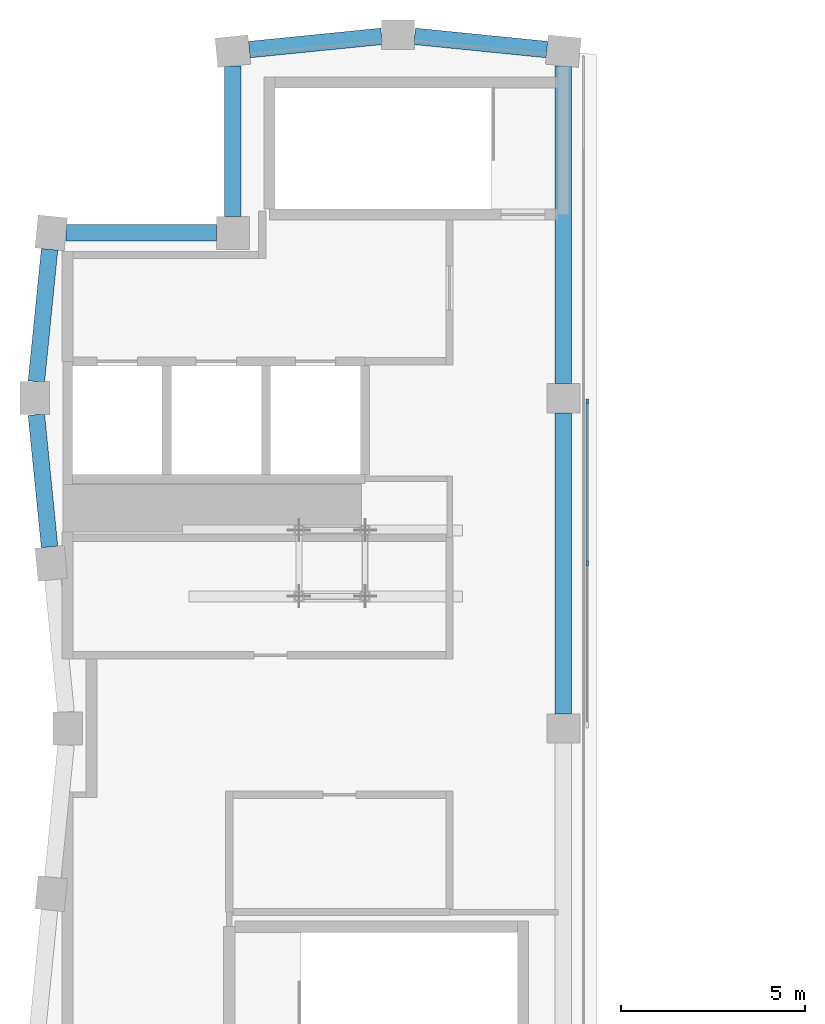
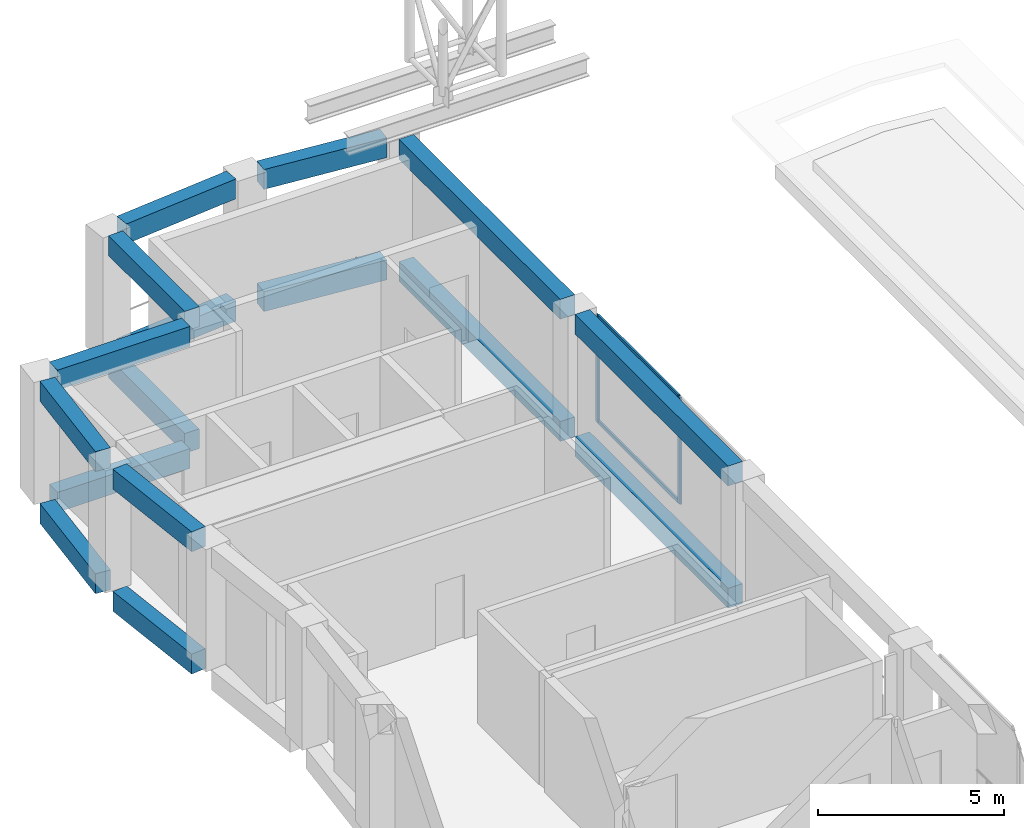
# One storey, part 4 of 7: 16 beams, 4 members, 1 element without a shape of its own.
"""IFC4 building model written with IfcOpenShell, lengths in metres."""

from ifc_helpers import new_model, si_unit, direction, frame, origin, origin_2d, place, context, subcontext, project, spatial, rectangle, extrude, material, material_profile, profile_set, type_object, element, aggregate, save


model = new_model("IFC4")

# Units and contexts
model_context = context("Model", 3, precision=1e-05, world=origin(), true_north=direction((0.0, 1.0)))
body_context = subcontext(model_context, "Body", "Model", "MODEL_VIEW")
ifc_project = project(units=[si_unit("LENGTHUNIT", "METRE"), si_unit("AREAUNIT", "SQUARE_METRE"), si_unit("VOLUMEUNIT", "CUBIC_METRE"), si_unit("PLANEANGLEUNIT", "RADIAN"), si_unit("MASSUNIT", "GRAM", prefix="KILO")], contexts=[model_context])

# Site, building, storey
site_placement = place(None, origin())
site = spatial("IfcSite", under=ifc_project, at=site_placement, CompositionType="ELEMENT")
building_placement = place(site_placement, origin())
building = spatial("IfcBuilding", under=site, at=building_placement, Name="Brondeck Convention Tower", CompositionType="ELEMENT")
storey_placement = place(building_placement, frame((0.0, 0.0, 306.800048828125)))
storey = spatial("IfcBuildingStorey", under=building, at=storey_placement, Name="L76", CompositionType="ELEMENT", Elevation=306.800048828125)

# Curtain wall, members
ifc_material_1 = material(Name="Aluminium, bronze anodised", Category="aluminium")
curtain_wall_type = type_object("IfcCurtainWallType", Name="Crown screen curtain wall", PredefinedType="NOTDEFINED", material=ifc_material_1)
curtain_wall_placement = place(storey_placement, origin())
curtain_wall = element("IfcCurtainWall", 1, at=curtain_wall_placement, inside=storey, type_object=curtain_wall_type, Name="ENV-CW4-L76-K1-SLOT-W-05", PredefinedType="NOTDEFINED")
ifc_material_profile_1 = material_profile(ifc_material_1, rectangle(XDim=0.06005859375, YDim=0.139892578125, at=origin_2d()), Name="CW4 mullion")
ifc_profile_set_1 = profile_set([ifc_material_profile_1], Name="Aluminium, bronze anodised")
member_type_1 = type_object("IfcMemberType", Name="CW4 mullion", PredefinedType="MULLION", material=ifc_profile_set_1)
member_1_placement = place(storey_placement, frame((14.14990234375, 53.909912109375, 0.0), z_axis=(0.0, 0.0, 1.0), x_axis=(1.0, 0.0, 0.0)))
member_1 = element("IfcMember", 2, at=member_1_placement, type_object=member_type_1, Name="CW4 mullion 1", PredefinedType="MULLION", context=body_context, shape_type="SweptSolid", body=[
    extrude(rectangle(XDim=0.06005859375, YDim=0.139892578125, at=origin_2d()), origin(), (0.0, 0.0, 1.0), 3.5),
])
member_2_placement = place(storey_placement, frame((14.14990234375, 49.5, 0.0), z_axis=(0.0, 0.0, 1.0), x_axis=(1.0, 0.0, 0.0)))
member_2 = element("IfcMember", 3, at=member_2_placement, type_object=member_type_1, Name="CW4 mullion 2", PredefinedType="MULLION", context=body_context, shape_type="SweptSolid", body=[
    extrude(rectangle(XDim=0.06005859375, YDim=0.139892578125, at=origin_2d()), origin(), (0.0, 0.0, 1.0), 3.5),
])
ifc_material_profile_2 = material_profile(ifc_material_1, rectangle(XDim=0.06005859375, YDim=0.1201171875, at=origin_2d()), Name="CW4 transom")
ifc_profile_set_2 = profile_set([ifc_material_profile_2], Name="Aluminium, bronze anodised")
member_type_2 = type_object("IfcMemberType", Name="CW4 transom", PredefinedType="USERDEFINED", material=ifc_profile_set_2)
member_3_placement = place(storey_placement, frame((14.14990234375, 53.8798828125, 0.030029296875), z_axis=(0.0, -1.0, 0.0), x_axis=(1.0, 0.0, 0.0)))
member_3 = element("IfcMember", 4, at=member_3_placement, type_object=member_type_2, Name="CW4 transom 1.1", ObjectType="TRANSOM", PredefinedType="USERDEFINED", context=body_context, shape_type="SweptSolid", body=[
    extrude(rectangle(XDim=0.06005859375, YDim=0.1201171875, at=origin_2d()), origin(), (0.0, 0.0, 1.0), 4.349853515625),
])
member_4_placement = place(storey_placement, frame((14.14990234375, 53.8798828125, 3.469970703125), z_axis=(0.0, -1.0, 0.0), x_axis=(1.0, 0.0, 0.0)))
member_4 = element("IfcMember", 5, at=member_4_placement, type_object=member_type_2, Name="CW4 transom 1.2", ObjectType="TRANSOM", PredefinedType="USERDEFINED", context=body_context, shape_type="SweptSolid", body=[
    extrude(rectangle(XDim=0.06005859375, YDim=0.1201171875, at=origin_2d()), origin(), (0.0, 0.0, 1.0), 4.349853515625),
])
aggregate(curtain_wall, [member_1, member_2, member_3, member_4])

# Beams
ifc_material_2 = material(Name="Concrete C50/60", Category="concrete")
ifc_material_profile_3 = material_profile(ifc_material_2, rectangle(XDim=0.449951171875, YDim=0.64990234375, at=origin_2d()), Name="Precast spandrel 450x650 Concrete C50/60")
ifc_profile_set_3 = profile_set([ifc_material_profile_3], Name="Concrete C50/60")
beam_type = type_object("IfcBeamType", Name="Precast spandrel 450x650 Concrete C50/60", PredefinedType="SPANDREL", material=ifc_profile_set_3)
beam_1_placement = place(storey_placement, frame((13.5, 45.39990234375, -0.324951171875), z_axis=(0.0, 1.0, 0.0), x_axis=(-1.0, 0.0, 0.0)))
element("IfcBeam", 6, at=beam_1_placement, inside=storey, type_object=beam_type, Name="STR-SP-L76K1-004", PredefinedType="SPANDREL", context=body_context, shape_type="SweptSolid", body=[
    extrude(rectangle(XDim=0.449951171875, YDim=0.64990234375, at=origin_2d()), origin(), (0.0, 0.0, 1.0), 8.2001953125),
])
beam_2_placement = place(storey_placement, frame((13.5, 54.39990234375, -0.324951171875), z_axis=(0.0, 1.0, 0.0), x_axis=(-1.0, 0.0, 0.0)))
element("IfcBeam", 7, at=beam_2_placement, inside=storey, type_object=beam_type, Name="STR-SP-L76K1-005", PredefinedType="SPANDREL", context=body_context, shape_type="SweptSolid", body=[
    extrude(rectangle(XDim=0.449951171875, YDim=0.64990234375, at=origin_2d()), origin(), (0.0, 0.0, 1.0), 8.648193359375),
])
for number, where, z_axis, x_axis, name in (
    (8, (13.05224609375, 63.494873046875, -0.324951171875), (-0.995040528141, 0.099470334057, 0.0), (-0.099470334057, -0.995040528141, 0.0), "STR-SP-L76K1-006"),
    (9, (8.550048828125, 63.85498046875, -0.324951171875), (-0.995040528141, -0.099470334057, 0.0), (0.099470334057, -0.995040528141, 0.0), "STR-SP-L76K1-007"),
):
    element("IfcBeam", number, at=place(storey_placement, frame(where, z_axis=z_axis, x_axis=x_axis)), inside=storey, type_object=beam_type, Name=name, PredefinedType="SPANDREL", context=body_context, shape_type="SweptSolid", body=[
        extrude(rectangle(XDim=0.449951171875, YDim=0.64990234375, at=origin_2d()), origin(), (0.0, 0.0, 1.0), 3.620361328125),
    ])
for number, where, z_axis, x_axis, name in (
    (10, (4.5, 63.048095703125, -0.324951171875), (0.0, -1.0, 0.0), (1.0, 0.0, 0.0), "STR-SP-L76K1-008"),
    (11, (4.050048828125, 58.5, -0.324951171875), (-1.0, 0.0, 0.0), (0.0, -1.0, 0.0), "STR-SP-L76K1-009"),
):
    element("IfcBeam", number, at=place(storey_placement, frame(where, z_axis=z_axis, x_axis=x_axis)), inside=storey, type_object=beam_type, Name=name, PredefinedType="SPANDREL", context=body_context, shape_type="SweptSolid", body=[
        extrude(rectangle(XDim=0.449951171875, YDim=0.64990234375, at=origin_2d()), origin(), (0.0, 0.0, 1.0), 4.09814453125),
    ])
for number, where, z_axis, x_axis, name in (
    (12, (-0.494873046875, 58.05224609375, -0.324951171875), (-0.099470334057, -0.995040528141, 0.0), (0.995040528141, -0.099470334057, 0.0), "STR-SP-L76K1-010"),
    (13, (-0.85498046875, 53.550048828125, -0.324951171875), (0.099470334057, -0.995040528141, 0.0), (0.995040528141, 0.099470334057, 0.0), "STR-SP-L76K1-011"),
):
    element("IfcBeam", number, at=place(storey_placement, frame(where, z_axis=z_axis, x_axis=x_axis)), inside=storey, type_object=beam_type, Name=name, PredefinedType="SPANDREL", context=body_context, shape_type="SweptSolid", body=[
        extrude(rectangle(XDim=0.449951171875, YDim=0.64990234375, at=origin_2d()), origin(), (0.0, 0.0, 1.0), 3.620361328125),
    ])
beam_3_placement = place(storey_placement, frame((13.5, 45.39990234375, 3.675048828125), z_axis=(0.0, 1.0, 0.0), x_axis=(-1.0, 0.0, 0.0)))
element("IfcBeam", 14, at=beam_3_placement, inside=storey, type_object=beam_type, Name="STR-SP-L76RP1-004", PredefinedType="SPANDREL", context=body_context, shape_type="SweptSolid", body=[
    extrude(rectangle(XDim=0.449951171875, YDim=0.64990234375, at=origin_2d()), origin(), (0.0, 0.0, 1.0), 8.2001953125),
])
beam_4_placement = place(storey_placement, frame((13.5, 54.39990234375, 3.675048828125), z_axis=(0.0, 1.0, 0.0), x_axis=(-1.0, 0.0, 0.0)))
element("IfcBeam", 15, at=beam_4_placement, inside=storey, type_object=beam_type, Name="STR-SP-L76RP1-005", PredefinedType="SPANDREL", context=body_context, shape_type="SweptSolid", body=[
    extrude(rectangle(XDim=0.449951171875, YDim=0.64990234375, at=origin_2d()), origin(), (0.0, 0.0, 1.0), 8.648193359375),
])
for number, where, z_axis, x_axis, name in (
    (16, (13.05224609375, 63.494873046875, 3.675048828125), (-0.995040528141, 0.099470334057, 0.0), (-0.099470334057, -0.995040528141, 0.0), "STR-SP-L76RP1-006"),
    (17, (8.550048828125, 63.85498046875, 3.675048828125), (-0.995040528141, -0.099470334057, 0.0), (0.099470334057, -0.995040528141, 0.0), "STR-SP-L76RP1-007"),
):
    element("IfcBeam", number, at=place(storey_placement, frame(where, z_axis=z_axis, x_axis=x_axis)), inside=storey, type_object=beam_type, Name=name, PredefinedType="SPANDREL", context=body_context, shape_type="SweptSolid", body=[
        extrude(rectangle(XDim=0.449951171875, YDim=0.64990234375, at=origin_2d()), origin(), (0.0, 0.0, 1.0), 3.620361328125),
    ])
for number, where, z_axis, x_axis, name in (
    (18, (4.5, 63.048095703125, 3.675048828125), (0.0, -1.0, 0.0), (1.0, 0.0, 0.0), "STR-SP-L76RP1-008"),
    (19, (4.050048828125, 58.5, 3.675048828125), (-1.0, 0.0, 0.0), (0.0, -1.0, 0.0), "STR-SP-L76RP1-009"),
):
    element("IfcBeam", number, at=place(storey_placement, frame(where, z_axis=z_axis, x_axis=x_axis)), inside=storey, type_object=beam_type, Name=name, PredefinedType="SPANDREL", context=body_context, shape_type="SweptSolid", body=[
        extrude(rectangle(XDim=0.449951171875, YDim=0.64990234375, at=origin_2d()), origin(), (0.0, 0.0, 1.0), 4.09814453125),
    ])
for number, where, z_axis, x_axis, name in (
    (20, (-0.494873046875, 58.05224609375, 3.675048828125), (-0.099470334057, -0.995040528141, 0.0), (0.995040528141, -0.099470334057, 0.0), "STR-SP-L76RP1-010"),
    (21, (-0.85498046875, 53.550048828125, 3.675048828125), (0.099470334057, -0.995040528141, 0.0), (0.995040528141, 0.099470334057, 0.0), "STR-SP-L76RP1-011"),
):
    element("IfcBeam", number, at=place(storey_placement, frame(where, z_axis=z_axis, x_axis=x_axis)), inside=storey, type_object=beam_type, Name=name, PredefinedType="SPANDREL", context=body_context, shape_type="SweptSolid", body=[
        extrude(rectangle(XDim=0.449951171875, YDim=0.64990234375, at=origin_2d()), origin(), (0.0, 0.0, 1.0), 3.620361328125),
    ])

save(model, "model.ifc")
